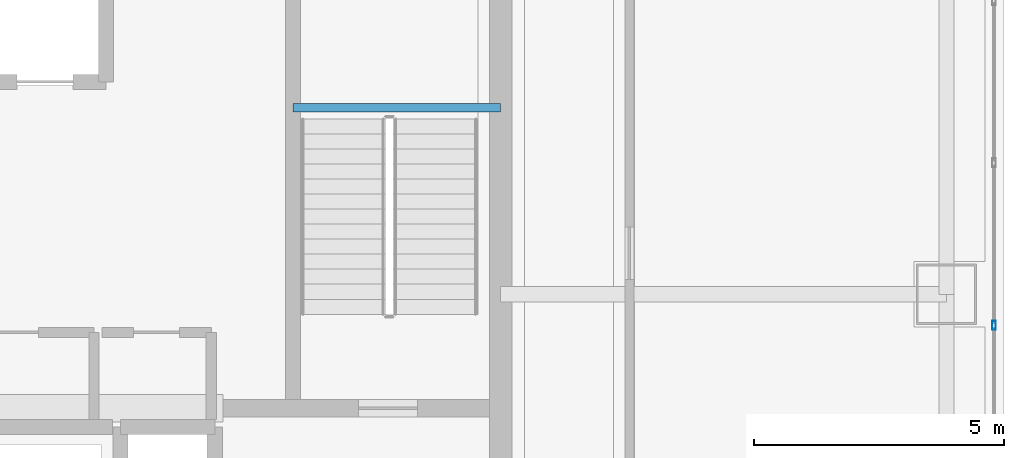
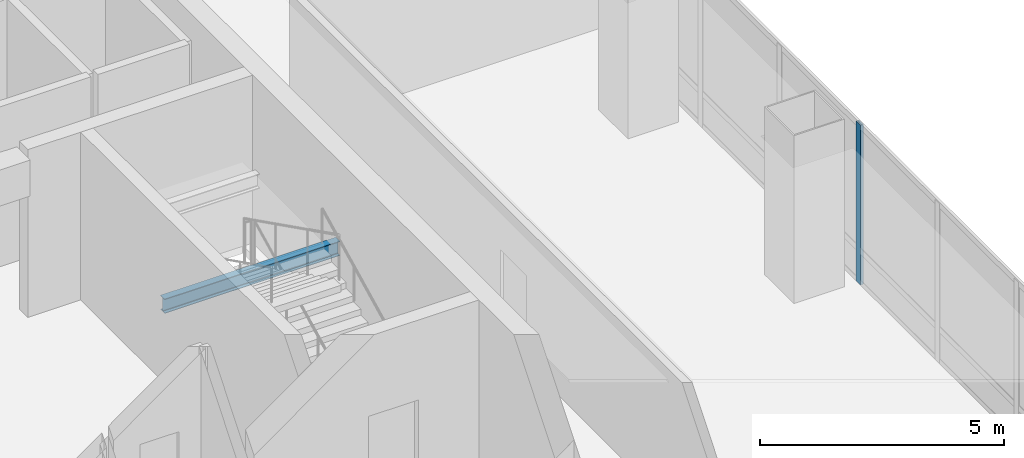
# One storey, part 20 of 42: 1 beam, 1 member, 1 element without a shape of its own.
"""IFC4 building model written with IfcOpenShell, lengths in metres."""

from ifc_helpers import new_model, si_unit, direction, frame, origin, origin_2d, place, context, subcontext, project, spatial, hollow_rectangle, i_section, extrude, material, material_profile, profile_set, type_object, element, aggregate, save


model = new_model("IFC4")

# Units and contexts
model_context = context("Model", 3, precision=1e-05, world=origin(), true_north=direction((0.0, 1.0)))
body_context = subcontext(model_context, "Body", "Model", "MODEL_VIEW")
ifc_project = project(units=[si_unit("LENGTHUNIT", "METRE"), si_unit("AREAUNIT", "SQUARE_METRE"), si_unit("VOLUMEUNIT", "CUBIC_METRE"), si_unit("PLANEANGLEUNIT", "RADIAN"), si_unit("MASSUNIT", "GRAM", prefix="KILO")], contexts=[model_context])

# Site, building, storey
site_placement = place(None, origin())
site = spatial("IfcSite", under=ifc_project, at=site_placement, CompositionType="ELEMENT")
building_placement = place(site_placement, origin())
building = spatial("IfcBuilding", under=site, at=building_placement, Name="Punatoya Terracotta Tower", CompositionType="ELEMENT")
storey_placement = place(building_placement, frame((0.0, 0.0, 325.800048828125)))
storey = spatial("IfcBuildingStorey", under=building, at=storey_placement, Name="L77", CompositionType="ELEMENT", Elevation=325.800048828125)

# Beam
ifc_material_1 = material(Name="Steel S355", Category="steel")
ifc_material_profile_1 = material_profile(ifc_material_1, i_section(OverallWidth=0.169921875, OverallDepth=0.360107421875, WebThickness=0.008056640625, FlangeThickness=0.0126953125, FilletRadius=0.01806640625, at=origin_2d()))
ifc_profile_set_1 = profile_set([ifc_material_profile_1], Name="Steel S355")
beam_type = type_object("IfcBeamType", Name="BM-SEC-360", PredefinedType="JOIST", material=ifc_profile_set_1)
beam_placement = place(storey_placement, frame((6.050048828125, 0.320068359375, 1.719970703125), z_axis=(1.0, 0.0, 0.0), x_axis=(0.0, 1.0, 0.0)))
element("IfcBeam", 1, at=beam_placement, inside=storey, type_object=beam_type, Name="BM-L77-ST-2-LD1A", PredefinedType="JOIST", context=body_context, shape_type="SweptSolid", body=[
    extrude(i_section(OverallWidth=0.169921875, OverallDepth=0.360107421875, WebThickness=0.008056640625, FlangeThickness=0.0126953125, FilletRadius=0.01806640625, at=origin_2d()), origin(), (0.0, 0.0, 1.0), 4.14990234375),
])

# Curtain wall, member
ifc_material_2 = material(Name="Aluminium 6063-T6 + Double Low-E Glass", Category="aluminium")
curtain_wall_type = type_object("IfcCurtainWallType", Name="CW-OBS", PredefinedType="NOTDEFINED", material=ifc_material_2)
curtain_wall_placement = place(storey_placement, origin())
curtain_wall = element("IfcCurtainWall", 2, at=curtain_wall_placement, inside=storey, type_object=curtain_wall_type, Name="L77 Curtain Wall CW-L77-E05-1", PredefinedType="NOTDEFINED")
ifc_material_3 = material(Name="Aluminium 6063-T6", Category="aluminium")
ifc_material_profile_2 = material_profile(ifc_material_3, hollow_rectangle(XDim=0.070068359375, YDim=0.179931640625, WallThickness=0.00390625, at=origin_2d()))
ifc_profile_set_2 = profile_set([ifc_material_profile_2], Name="Aluminium 6063-T6")
member_type = type_object("IfcMemberType", Name="CW-MUL-M3", PredefinedType="MULLION", material=ifc_profile_set_2)
member_placement = place(storey_placement, frame((20.050048828125, -4.021484375, 0.0), z_axis=(0.0, 0.0, 1.0), x_axis=(1.0, 0.0, 0.0)))
member = element("IfcMember", 3, at=member_placement, type_object=member_type, Name="CW-L77-E05-1 Mullion 05", PredefinedType="MULLION", context=body_context, shape_type="SweptSolid", body=[
    extrude(hollow_rectangle(XDim=0.070068359375, YDim=0.179931640625, WallThickness=0.00390625, at=origin_2d()), origin(), (0.0, 0.0, 1.0), 4.0),
])
aggregate(curtain_wall, [member])

save(model, "model.ifc")
